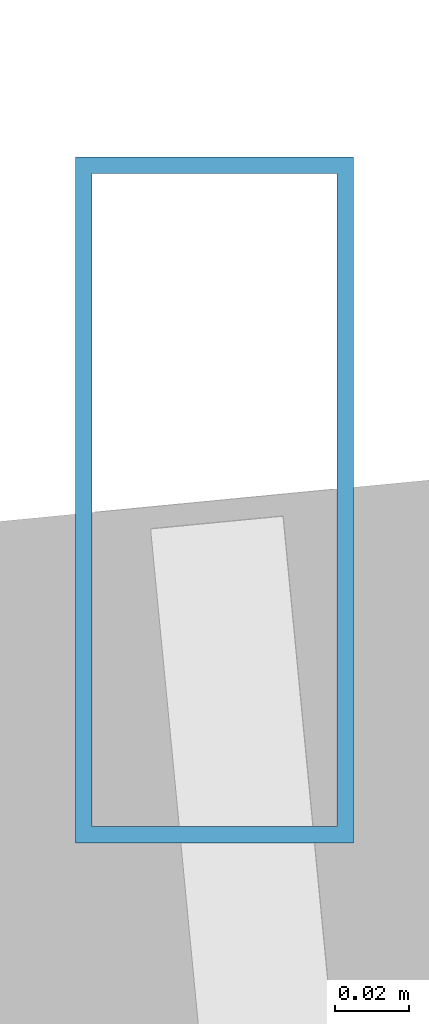
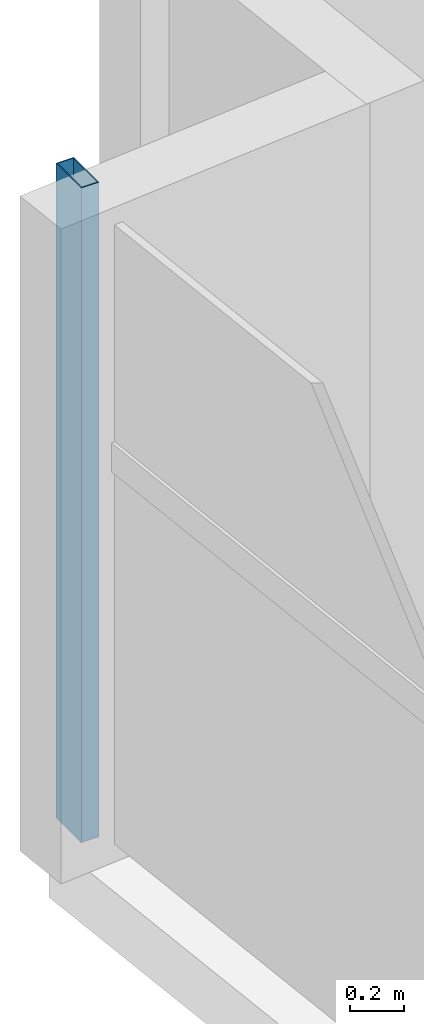
# One storey, part 8 of 27: 1 member, 1 element without a shape of its own.
"""IFC4 building model written with IfcOpenShell, lengths in metres."""

import ifcopenshell
import ifcopenshell.guid

model = None  # the IFC model being written
_history = None  # IfcOwnerHistory: only IFC2X3 demands one
_inside = {}  # id of a spatial element -> (the spatial element, [elements in it])
_under = {}  # id of a project, library or spatial element -> (it, [spatial elements below it])
_declared = {}  # id of a project -> (the project, [libraries it declares])
_typed = {}  # id of a type object -> (the type object, [elements of that type])
_made_of = {}  # id of a material, layer set ... -> (it, [elements and type objects made of it])


def new_model(schema):
    """Start an empty IFC model of exactly this schema.

    Asked for "IFC4X3", IfcOpenShell would pick the latest addendum, in which some entities
    have other attributes; the version numbers below select the first issue.
    IFC2X3 requires an IfcOwnerHistory on every rooted entity: one is made here for all.
    """
    global model, _history
    if schema == "IFC4X3":
        model = ifcopenshell.file(schema_version=(4, 3, 0, 0))
    else:
        model = ifcopenshell.file(schema=schema)
    _inside.clear()
    _under.clear()
    _declared.clear()
    _typed.clear()
    _made_of.clear()
    _history = None
    if model.schema == "IFC2X3":
        org = make("IfcOrganization", Name="unknown")
        user = make(
            "IfcPersonAndOrganization",
            ThePerson=make("IfcPerson", FamilyName="unknown"),
            TheOrganization=org,
        )
        app = make(
            "IfcApplication",
            ApplicationDeveloper=org,
            Version="unknown",
            ApplicationFullName="unknown",
            ApplicationIdentifier="unknown",
        )
        _history = make(
            "IfcOwnerHistory",
            OwningUser=user,
            OwningApplication=app,
            ChangeAction="ADDED",
            CreationDate=0,
        )
    return model


def make(cls, **values):
    """One entity of the class cls with the attributes given. An attribute that is None is left unset."""
    return model.create_entity(
        cls, **{name: value for name, value in values.items() if value is not None}
    )


def rooted(cls, **values):
    """An entity with a GlobalId (a new one), such as an element, a storey or a relation."""
    return make(cls, GlobalId=ifcopenshell.guid.new(), OwnerHistory=_history, **values)


def si_unit(unit_type, name, prefix=None):
    """IfcSIUnit, for example si_unit("LENGTHUNIT", "METRE", prefix="MILLI")."""
    return make("IfcSIUnit", UnitType=unit_type, Prefix=prefix, Name=name)


def assignment(units):
    """IfcUnitAssignment: the units of a project."""
    return None if units is None else make("IfcUnitAssignment", Units=units)


def point(xyz):
    """IfcCartesianPoint."""
    return None if xyz is None else make("IfcCartesianPoint", Coordinates=xyz)


def direction(xyz):
    """IfcDirection."""
    return None if xyz is None else make("IfcDirection", DirectionRatios=xyz)


def frame(location, z_axis=None, x_axis=None):
    """IfcAxis2Placement3D, a coordinate frame: its origin and axes. An axis left out is left unset."""
    return make(
        "IfcAxis2Placement3D",
        Location=point(location),
        Axis=direction(z_axis),
        RefDirection=direction(x_axis),
    )


def frame_2d(location, x_axis=None):
    """IfcAxis2Placement2D, a coordinate frame in the plane: its origin and x axis."""
    return make(
        "IfcAxis2Placement2D", Location=point(location), RefDirection=direction(x_axis)
    )


def origin():
    """The frame at (0, 0, 0) with its axes left unset."""
    return frame((0.0, 0.0, 0.0))


def origin_2d():
    """The frame at (0, 0) in the plane with its x axis left unset."""
    return frame_2d((0.0, 0.0))


def place(relative_to, where):
    """IfcLocalPlacement: puts the frame where relative to a parent placement (None: the world)."""
    return make(
        "IfcLocalPlacement", PlacementRelTo=relative_to, RelativePlacement=where
    )


def context(
    kind, dimensions, precision=None, world=None, true_north=None, identifier=None
):
    """IfcGeometricRepresentationContext, for example the 3D "Model" context."""
    return make(
        "IfcGeometricRepresentationContext",
        ContextIdentifier=identifier,
        ContextType=kind,
        CoordinateSpaceDimension=dimensions,
        Precision=precision,
        WorldCoordinateSystem=world,
        TrueNorth=true_north,
    )


def subcontext(parent, identifier, kind, view, scale=None):
    """IfcGeometricRepresentationSubContext, for example "Body" below "Model"."""
    return make(
        "IfcGeometricRepresentationSubContext",
        ContextIdentifier=identifier,
        ContextType=kind,
        ParentContext=parent,
        TargetScale=scale,
        TargetView=view,
    )


def project(units=None, contexts=None):
    """IfcProject with its units and contexts."""
    return rooted(
        "IfcProject",
        Name="project",
        RepresentationContexts=contexts,
        UnitsInContext=assignment(units),
    )


def spatial(cls, under=None, at=None, **own):
    """A site, building, storey or space (cls), placed at a placement, below another one or the project."""
    s = rooted(cls, ObjectPlacement=at, **own)
    if under is not None:
        _under.setdefault(under.id(), (under, []))[1].append(s)
    return s


def profile(cls, at=None, kind="AREA", **sizes):
    """A parametric profile (cls). Its sizes go by their IFC names, for example OverallWidth=200.0."""
    return make(cls, ProfileType=kind, Position=at, **sizes)


def hollow_rectangle(**sizes):
    """IfcRectangleHollowProfileDef."""
    return profile("IfcRectangleHollowProfileDef", **sizes)


def extrude(swept, where, along, depth):
    """IfcExtrudedAreaSolid: the profile swept, set in the frame where, extruded along a direction by depth."""
    return make(
        "IfcExtrudedAreaSolid",
        SweptArea=swept,
        Position=where,
        ExtrudedDirection=direction(along),
        Depth=depth,
    )


def shape(context_of_items, identifier, shape_type, items):
    """IfcShapeRepresentation: the items that make up one representation, for example the "Body"."""
    return make(
        "IfcShapeRepresentation",
        ContextOfItems=context_of_items,
        RepresentationIdentifier=identifier,
        RepresentationType=shape_type,
        Items=items,
    )


def source(mapping_origin, context_of_items, identifier, shape_type, items):
    """IfcRepresentationMap: a shape defined once, which mapped items show again and again."""
    return make(
        "IfcRepresentationMap",
        MappingOrigin=mapping_origin,
        MappedRepresentation=shape(context_of_items, identifier, shape_type, items),
    )


def transform(
    local_origin,
    x_axis=None,
    y_axis=None,
    z_axis=None,
    scale=None,
    scale2=None,
    scale3=None,
    uniform=True,
):
    """IfcCartesianTransformationOperator3D, or its non-uniform kind. x_axis, y_axis, z_axis: its Axis1, 2, 3."""
    if uniform:
        return make(
            "IfcCartesianTransformationOperator3D",
            Axis1=direction(x_axis),
            Axis2=direction(y_axis),
            LocalOrigin=point(local_origin),
            Scale=scale,
            Axis3=direction(z_axis),
        )
    return make(
        "IfcCartesianTransformationOperator3DnonUniform",
        Axis1=direction(x_axis),
        Axis2=direction(y_axis),
        LocalOrigin=point(local_origin),
        Scale=scale,
        Axis3=direction(z_axis),
        Scale2=scale2,
        Scale3=scale3,
    )


def mapped(mapping_source, mapping_target):
    """IfcMappedItem: shows the shape of a source again, moved by a transform."""
    return make(
        "IfcMappedItem", MappingSource=mapping_source, MappingTarget=mapping_target
    )


def material(Name=None, Category=None):
    """IfcMaterial."""
    return make("IfcMaterial", Name=Name, Category=Category)


def material_profile(
    of_material, cross_section, Name=None, Category=None, Priority=None
):
    """IfcMaterialProfile: a cross section and its material."""
    return make(
        "IfcMaterialProfile",
        Name=Name,
        Material=of_material,
        Profile=cross_section,
        Priority=Priority,
        Category=Category,
    )


def profile_set(profiles, Name=None, composite=None):
    """IfcMaterialProfileSet."""
    return make(
        "IfcMaterialProfileSet",
        Name=Name,
        MaterialProfiles=profiles,
        CompositeProfile=composite,
    )


def made_of(thing, what):
    """Note that an element or type object is made of a material, layer set ...; save() writes the relation."""
    if what is not None:
        _made_of.setdefault(what.id(), (what, []))[1].append(thing)
    return thing


def type_object(cls, material=None, **own):
    """A type object (cls), such as IfcWallType, which elements share."""
    return made_of(rooted(cls, **own), material)


def type_shapes(of_type, sources):
    """Give a type object the sources (RepresentationMaps) that its elements show as mapped items."""
    of_type.RepresentationMaps = sources


def element(
    cls,
    number,
    at=None,
    inside=None,
    cuts=None,
    type_object=None,
    material=None,
    context=None,
    identifier="Body",
    shape_type=None,
    held_by="IfcProductDefinitionShape",
    body=None,
    shapes=None,
    **own,
):
    """One element of the class cls, such as IfcWall. Its Tag is "e" and its number.

    at: its placement. inside: the storey or other place that contains it. cuts: it is an
    opening in that element (IfcRelVoidsElement). A single representation is given by context,
    identifier, shape_type and body (its items); several are given by shapes. held_by: the class
    of the entity that holds the representations. save() writes the other relations.
    """
    e = rooted(cls, Tag="e%d" % number, ObjectPlacement=at, **own)
    if body is not None:
        shapes = [shape(context, identifier, shape_type, body)]
    if shapes is not None:
        e.Representation = make(held_by, Representations=shapes)
    if inside is not None:
        _inside.setdefault(inside.id(), (inside, []))[1].append(e)
    if cuts is not None:
        rooted(
            "IfcRelVoidsElement", RelatingBuildingElement=cuts, RelatedOpeningElement=e
        )
    if type_object is not None:
        _typed.setdefault(type_object.id(), (type_object, []))[1].append(e)
    return made_of(e, material)


def aggregate(whole, parts):
    """IfcRelAggregates: a whole, such as a stair, and the parts it consists of."""
    return rooted("IfcRelAggregates", RelatingObject=whole, RelatedObjects=parts)


def save(model, path):
    """Write the relations noted so far, then the file.

    IfcRelAggregates (storeys below a building ...), IfcRelContainedInSpatialStructure (elements
    in a storey), IfcRelDefinesByType, IfcRelAssociatesMaterial and IfcRelDeclares: one each for
    every whole, place, type object, material and project.
    """
    for whole, parts in _under.values():
        aggregate(whole, parts)
    for where, things in _inside.values():
        rooted(
            "IfcRelContainedInSpatialStructure",
            RelatedElements=things,
            RelatingStructure=where,
        )
    for kind, things in _typed.values():
        rooted("IfcRelDefinesByType", RelatedObjects=things, RelatingType=kind)
    for what, things in _made_of.values():
        rooted("IfcRelAssociatesMaterial", RelatedObjects=things, RelatingMaterial=what)
    for by, libraries in _declared.values():
        rooted("IfcRelDeclares", RelatingContext=by, RelatedDefinitions=libraries)
    model.write(path)


model = new_model("IFC4")

# Units and contexts
model_context = context("Model", 3, precision=1e-05, world=origin(), true_north=direction((0.0, 1.0)))
body_context = subcontext(model_context, "Body", "Model", "MODEL_VIEW")
ifc_project = project(units=[si_unit("LENGTHUNIT", "METRE"), si_unit("AREAUNIT", "SQUARE_METRE"), si_unit("VOLUMEUNIT", "CUBIC_METRE"), si_unit("PLANEANGLEUNIT", "RADIAN"), si_unit("MASSUNIT", "GRAM", prefix="KILO")], contexts=[model_context])

# Site, building, storey
site_placement = place(None, origin())
site = spatial("IfcSite", under=ifc_project, at=site_placement, CompositionType="ELEMENT")
building_placement = place(site_placement, origin())
building = spatial("IfcBuilding", under=site, at=building_placement, Name="Astriad Promenade Condominiums", CompositionType="ELEMENT")
storey_placement = place(building_placement, frame((0.0, 0.0, 113.0)))
storey = spatial("IfcBuildingStorey", under=building, at=storey_placement, Name="L32", CompositionType="ELEMENT", Elevation=113.0)

# Curtain wall, member
ifc_material_1 = material(Name="Anodised aluminium Black Dark Glass Unitised", Category="aluminium")
curtain_wall_type = type_object("IfcCurtainWallType", Name="CW-B2-DARK", PredefinedType="USERDEFINED", material=ifc_material_1)
curtain_wall_placement = place(storey_placement, origin())
curtain_wall = element("IfcCurtainWall", 1, at=curtain_wall_placement, inside=storey, type_object=curtain_wall_type, Name="CW-L32-W", ObjectType="UNITISED_CURTAIN_WALL", PredefinedType="USERDEFINED")
ifc_material_2 = material(Name="Anodised aluminium 6063-T6 Black", Category="aluminium")
ifc_material_profile = material_profile(ifc_material_2, hollow_rectangle(XDim=0.074951171875, YDim=0.18505859375, WallThickness=0.00439453125, at=origin_2d()), Name="ALU-MUL-75X185")
ifc_profile_set = profile_set([ifc_material_profile], Name="Anodised aluminium 6063-T6 Black")
member_type = type_object("IfcMemberType", Name="MUL-ALU-MUL-75X185", PredefinedType="MULLION", material=ifc_profile_set)
shared_shape = source(origin(), body_context, "Body", "SweptSolid", [
    extrude(hollow_rectangle(XDim=0.074951171875, YDim=0.18505859375, WallThickness=0.00439453125, at=origin_2d()), origin(), (0.0, 0.0, 1.0), 2.93994140625),
])
type_shapes(member_type, [shared_shape])
member_placement = place(storey_placement, frame((8.94775390625, 20.921875, 0.0), z_axis=(0.0, 0.0, 1.0), x_axis=(1.0, 0.0, 0.0)))
member = element("IfcMember", 2, at=member_placement, type_object=member_type, Name="CW-L32-W-MUL-03", PredefinedType="MULLION", context=body_context, shape_type="MappedRepresentation", body=[
    mapped(shared_shape, transform((0.0, 0.0, 0.0), scale=1.0)),
])
aggregate(curtain_wall, [member])

save(model, "model.ifc")
